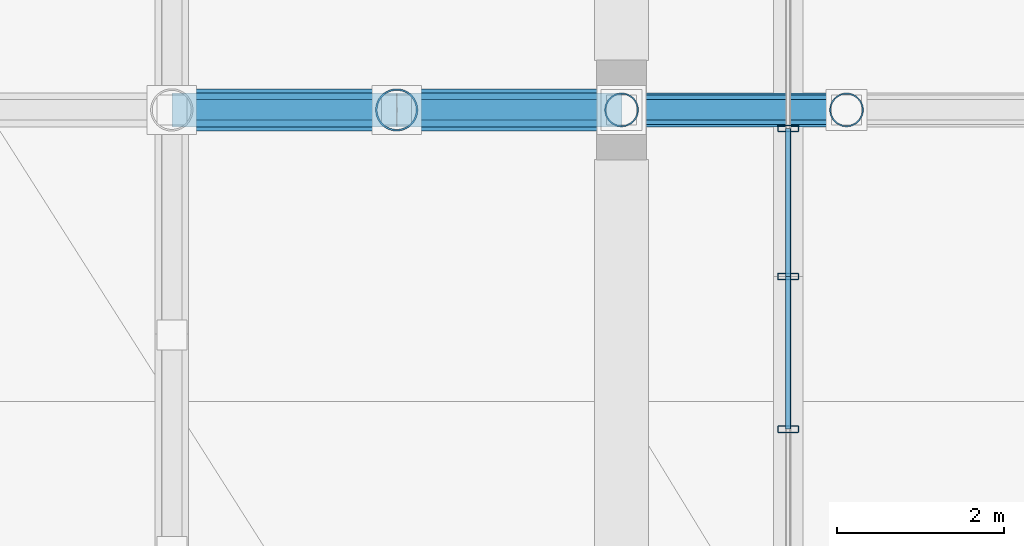
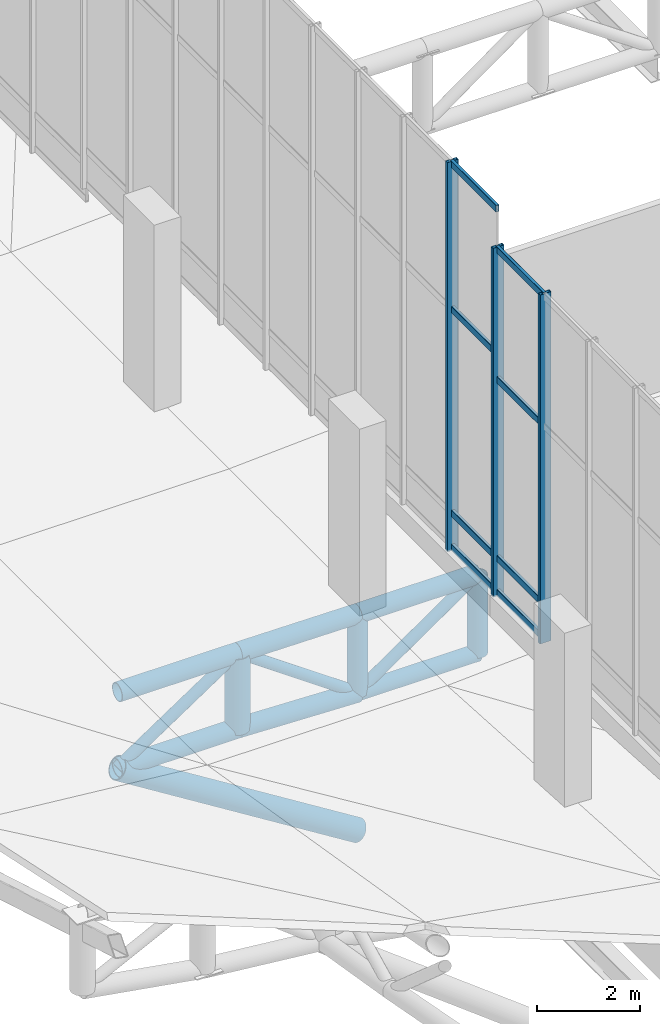
# One storey, part 17 of 137: 24 members, 2 elements without a shape of their own.
"""IFC4 building model written with IfcOpenShell, lengths in metres."""

from ifc_helpers import new_model, si_unit, direction, frame, origin, origin_2d, place, context, subcontext, project, spatial, hollow_rectangle, hollow_circle, extrude, material, layer, layer_set, material_profile, profile_set, type_object, element, aggregate, save


model = new_model("IFC4")

# Units and contexts
model_context = context("Model", 3, precision=1e-05, world=origin(), true_north=direction((0.0, 1.0)))
body_context = subcontext(model_context, "Body", "Model", "MODEL_VIEW")
ifc_project = project(units=[si_unit("LENGTHUNIT", "METRE"), si_unit("AREAUNIT", "SQUARE_METRE"), si_unit("VOLUMEUNIT", "CUBIC_METRE"), si_unit("PLANEANGLEUNIT", "RADIAN"), si_unit("MASSUNIT", "GRAM", prefix="KILO")], contexts=[model_context])

# Site, building, storey
site_placement = place(None, origin())
site = spatial("IfcSite", under=ifc_project, at=site_placement, CompositionType="ELEMENT")
building_placement = place(site_placement, origin())
building = spatial("IfcBuilding", under=site, at=building_placement, Name="Khorjan Park Terminus", CompositionType="ELEMENT")
storey_placement = place(building_placement, frame((0.0, 0.0, 11.4)))
storey = spatial("IfcBuildingStorey", under=building, at=storey_placement, Name="L02", CompositionType="ELEMENT", Elevation=11.4)

# Members
ifc_material_1 = material(Name="Steel S355", Category="steel")
ifc_material_profile_1 = material_profile(ifc_material_1, hollow_circle(Radius=0.1222, WallThickness=0.0125, at=origin_2d()), Name="CHS 244.5x12.5")
ifc_profile_set_1 = profile_set([ifc_material_profile_1], Name="Steel S355")
member_type_1 = type_object("IfcMemberType", Name="MB-BR-245", PredefinedType="BRACE", material=ifc_profile_set_1)
member_1_placement = place(storey_placement, frame((48.0, 52.0, -1.92), z_axis=(0.822082565391, 0.0, 0.569368295289), x_axis=(0.0, 1.0, 0.0)))
element("IfcMember", 1, at=member_1_placement, inside=storey, type_object=member_type_1, Name="Lower shell W/E truss diagonal (W2)", PredefinedType="BRACE", context=body_context, shape_type="SweptSolid", body=[
    extrude(hollow_circle(Radius=0.1222, WallThickness=0.0125, at=origin_2d()), origin(), (0.0, 0.0, 1.0), 3.2843),
])
ifc_material_profile_2 = material_profile(ifc_material_1, hollow_circle(Radius=0.1222, WallThickness=0.0125, at=origin_2d()), Name="CHS 244.5x12.5")
ifc_profile_set_2 = profile_set([ifc_material_profile_2], Name="Steel S355")
member_type_2 = type_object("IfcMemberType", Name="MB-BRE-245", PredefinedType="BRACE", material=ifc_profile_set_2)
member_2_placement = place(storey_placement, frame((42.6, 52.0, -1.828), z_axis=(0.832050294338, 0.0, 0.554700196225), x_axis=(0.0, 1.0, 0.0)))
element("IfcMember", 2, at=member_2_placement, inside=storey, type_object=member_type_2, Name="Lower shell W/E truss diagonal (W2)", PredefinedType="BRACE", context=body_context, shape_type="SweptSolid", body=[
    extrude(hollow_circle(Radius=0.1222, WallThickness=0.0125, at=origin_2d()), origin(), (0.0, 0.0, 1.0), 3.245),
])
member_3_placement = place(storey_placement, frame((45.3, 52.0, -0.028), z_axis=(0.818946826672, 0.0, -0.573869405949), x_axis=(0.0, 1.0, 0.0)))
element("IfcMember", 3, at=member_3_placement, inside=storey, type_object=member_type_2, Name="Lower shell W/E truss diagonal (W2)", PredefinedType="BRACE", context=body_context, shape_type="SweptSolid", body=[
    extrude(hollow_circle(Radius=0.1222, WallThickness=0.0125, at=origin_2d()), origin(), (0.0, 0.0, 1.0), 3.2969),
])
ifc_material_profile_3 = material_profile(ifc_material_1, hollow_circle(Radius=0.1778, WallThickness=0.016, at=origin_2d()), Name="CHS 355.6x16")
ifc_profile_set_3 = profile_set([ifc_material_profile_3], Name="Steel S355")
member_type_3 = type_object("IfcMemberType", Name="MB-CH-356", PredefinedType="CHORD", material=ifc_profile_set_3)
member_4_placement = place(storey_placement, frame((48.0, 52.0, -1.92), z_axis=(1.0, 0.0, 0.0), x_axis=(0.0, 1.0, 0.0)))
element("IfcMember", 4, at=member_4_placement, inside=storey, type_object=member_type_3, Name="Lower shell W/E truss bottom chord (W2)", PredefinedType="CHORD", context=body_context, shape_type="SweptSolid", body=[
    extrude(hollow_circle(Radius=0.1778, WallThickness=0.016, at=origin_2d()), origin(), (0.0, 0.0, 1.0), 2.7),
])
ifc_material_profile_4 = material_profile(ifc_material_1, hollow_circle(Radius=0.2032, WallThickness=0.016, at=origin_2d()), Name="CHS 406.4x16")
ifc_profile_set_4 = profile_set([ifc_material_profile_4], Name="Steel S355")
member_type_4 = type_object("IfcMemberType", Name="MB-CH-406", PredefinedType="CHORD", material=ifc_profile_set_4)
member_5_placement = place(storey_placement, frame((48.0, 52.0, -0.05), z_axis=(1.0, 0.0, 0.0), x_axis=(0.0, 1.0, 0.0)))
element("IfcMember", 5, at=member_5_placement, inside=storey, type_object=member_type_4, Name="Lower shell W/E truss top chord (W2)", PredefinedType="CHORD", context=body_context, shape_type="SweptSolid", body=[
    extrude(hollow_circle(Radius=0.2032, WallThickness=0.016, at=origin_2d()), origin(), (0.0, 0.0, 1.0), 2.7),
])
ifc_material_profile_5 = material_profile(ifc_material_1, hollow_circle(Radius=0.2032, WallThickness=0.016, at=origin_2d()), Name="CHS 406.4x16")
ifc_profile_set_5 = profile_set([ifc_material_profile_5], Name="Steel S355")
member_type_5 = type_object("IfcMemberType", Name="MB-CHE-406", PredefinedType="CHORD", material=ifc_profile_set_5)
for number, where, z_axis, x_axis, name in (
    (6, (42.6, 52.0, -0.028), (1.0, 0.0, 0.0), (0.0, 1.0, 0.0), "Lower shell W/E truss top chord (W2)"),
    (7, (42.6, 52.0, -1.828), (1.0, 0.0, 0.0), (0.0, 1.0, 0.0), "Lower shell W/E truss bottom chord (W2)"),
):
    element("IfcMember", number, at=place(storey_placement, frame(where, z_axis=z_axis, x_axis=x_axis)), inside=storey, type_object=member_type_5, Name=name, PredefinedType="CHORD", context=body_context, shape_type="SweptSolid", body=[
        extrude(hollow_circle(Radius=0.2032, WallThickness=0.016, at=origin_2d()), origin(), (0.0, 0.0, 1.0), 2.7),
    ])
member_6_placement = place(storey_placement, frame((45.3, 52.0, -0.028), z_axis=(0.999966805494, 0.0, -0.008147877674), x_axis=(0.0, 1.0, 0.0)))
element("IfcMember", 8, at=member_6_placement, inside=storey, type_object=member_type_5, Name="Lower shell W/E truss top chord (W2)", PredefinedType="CHORD", context=body_context, shape_type="SweptSolid", body=[
    extrude(hollow_circle(Radius=0.2032, WallThickness=0.016, at=origin_2d()), origin(), (0.0, 0.0, 1.0), 2.7001),
])
member_7_placement = place(storey_placement, frame((45.3, 52.0, -1.828), z_axis=(0.999419983757, 0.0, -0.034054310558), x_axis=(0.0, 1.0, 0.0)))
element("IfcMember", 9, at=member_7_placement, inside=storey, type_object=member_type_5, Name="Lower shell W/E truss bottom chord (W2)", PredefinedType="CHORD", context=body_context, shape_type="SweptSolid", body=[
    extrude(hollow_circle(Radius=0.2032, WallThickness=0.016, at=origin_2d()), origin(), (0.0, 0.0, 1.0), 2.7016),
])
ifc_material_profile_6 = material_profile(ifc_material_1, hollow_circle(Radius=0.2032, WallThickness=0.016, at=origin_2d()), Name="CHS 406.4x16")
ifc_profile_set_6 = profile_set([ifc_material_profile_6], Name="Steel S355")
member_type_6 = type_object("IfcMemberType", Name="MB-ST-406", PredefinedType="STRUT", material=ifc_profile_set_6)
for number, where, z_axis, x_axis, name in (
    (10, (48.0, 52.0, -1.92), (0.0, 0.0, 1.0), (1.0, 0.0, 0.0), "Lower shell W/E truss post (W2)"),
    (11, (50.7, 52.0, -1.92), (0.0, 0.0, 1.0), (1.0, 0.0, 0.0), "Lower shell W/E truss post (W2)"),
):
    element("IfcMember", number, at=place(storey_placement, frame(where, z_axis=z_axis, x_axis=x_axis)), inside=storey, type_object=member_type_6, Name=name, PredefinedType="STRUT", context=body_context, shape_type="SweptSolid", body=[
        extrude(hollow_circle(Radius=0.2032, WallThickness=0.016, at=origin_2d()), origin(), (0.0, 0.0, 1.0), 1.87),
    ])
ifc_material_profile_7 = material_profile(ifc_material_1, hollow_circle(Radius=0.254, WallThickness=0.02, at=origin_2d()), Name="CHS 508x20")
ifc_profile_set_7 = profile_set([ifc_material_profile_7], Name="Steel S355")
member_type_7 = type_object("IfcMemberType", Name="MB-STE-508", PredefinedType="STRUT", material=ifc_profile_set_7)
member_8_placement = place(storey_placement, frame((45.3, 52.0, -1.828), z_axis=(0.0, 0.0, 1.0), x_axis=(1.0, 0.0, 0.0)))
element("IfcMember", 12, at=member_8_placement, inside=storey, type_object=member_type_7, Name="Lower shell W/E truss post (W2)", PredefinedType="STRUT", context=body_context, shape_type="SweptSolid", body=[
    extrude(hollow_circle(Radius=0.254, WallThickness=0.02, at=origin_2d()), origin(), (0.0, 0.0, 1.0), 1.8),
])
member_9_placement = place(storey_placement, frame((48.0, 52.0, -5.2), z_axis=(-0.848210024072, 0.0, 0.529660037254), x_axis=(0.0, -1.0, 0.0)))
element("IfcMember", 13, at=member_9_placement, inside=storey, type_object=member_type_7, Name="Lower shell W/E raked V-strut STE-51 (W2)", PredefinedType="STRUT", context=body_context, shape_type="SweptSolid", body=[
    extrude(hollow_circle(Radius=0.254, WallThickness=0.02, at=origin_2d()), origin(), (0.0, 0.0, 1.0), 6.3663),
])

# Curtain wall, members
ifc_material_2 = material(Name="Anodized Bronze Aluminium", Category="aluminium")
ifc_layer = layer(ifc_material_2, 0.22)
ifc_layer_set = layer_set([ifc_layer], Name="Anodized Bronze Aluminium")
curtain_wall_type = type_object("IfcCurtainWallType", Name="CW-CONC-CLR", PredefinedType="NOTDEFINED", material=ifc_layer_set)
curtain_wall_1_placement = place(storey_placement, origin())
curtain_wall_1 = element("IfcCurtainWall", 14, at=curtain_wall_1_placement, inside=storey, type_object=curtain_wall_type, Name="Unitized curtain wall CW-CL (CW-V2-W-CLR-02)", PredefinedType="NOTDEFINED")
ifc_material_profile_8 = material_profile(ifc_material_2, hollow_rectangle(XDim=0.08, YDim=0.25, WallThickness=0.005, InnerFilletRadius=0.005, OuterFilletRadius=0.01, at=origin_2d()), Name="ALM 80x250x5")
ifc_profile_set_8 = profile_set([ifc_material_profile_8], Name="Anodized Bronze Aluminium")
member_type_8 = type_object("IfcMemberType", Name="ML-ALM-250", PredefinedType="MULLION", material=ifc_profile_set_8)
member_10_placement = place(storey_placement, frame((50.0, 50.0, 0.915), z_axis=(0.0, 0.0, 1.0), x_axis=(0.0, -1.0, 0.0)))
member_10 = element("IfcMember", 15, at=member_10_placement, type_object=member_type_8, Name="Curtain-wall mullion ML-25 (CW-V2-W-CLR-02-0)", PredefinedType="MULLION", context=body_context, shape_type="SweptSolid", body=[
    extrude(hollow_rectangle(XDim=0.08, YDim=0.25, WallThickness=0.005, InnerFilletRadius=0.005, OuterFilletRadius=0.01, at=origin_2d()), origin(), (0.0, 0.0, 1.0), 8.2978),
])
member_11_placement = place(storey_placement, frame((50.0, 48.1667, 0.915), z_axis=(0.0, 0.0, 1.0), x_axis=(0.0, -1.0, 0.0)))
member_11 = element("IfcMember", 16, at=member_11_placement, type_object=member_type_8, Name="Curtain-wall mullion ML-25 (CW-V2-W-CLR-02-1)", PredefinedType="MULLION", context=body_context, shape_type="SweptSolid", body=[
    extrude(hollow_rectangle(XDim=0.08, YDim=0.25, WallThickness=0.005, InnerFilletRadius=0.005, OuterFilletRadius=0.01, at=origin_2d()), origin(), (0.0, 0.0, 1.0), 8.2978),
])

# Curtain wall, member
curtain_wall_2_placement = place(storey_placement, origin())
curtain_wall_2 = element("IfcCurtainWall", 17, at=curtain_wall_2_placement, inside=storey, type_object=curtain_wall_type, Name="Unitized curtain wall CW-CL (CW-V2-W-CLR-03)", PredefinedType="NOTDEFINED")
member_12_placement = place(storey_placement, frame((50.0, 51.7778, 0.915), z_axis=(0.0, 0.0, 1.0), x_axis=(0.0, -1.0, 0.0)))
member_12 = element("IfcMember", 18, at=member_12_placement, type_object=member_type_8, Name="Curtain-wall mullion ML-25 (CW-V2-W-CLR-03-8)", PredefinedType="MULLION", context=body_context, shape_type="SweptSolid", body=[
    extrude(hollow_rectangle(XDim=0.08, YDim=0.25, WallThickness=0.005, InnerFilletRadius=0.005, OuterFilletRadius=0.01, at=origin_2d()), origin(), (0.0, 0.0, 1.0), 9.2604),
])

# Member
ifc_material_profile_9 = material_profile(ifc_material_2, hollow_rectangle(XDim=0.07, YDim=0.16, WallThickness=0.004, InnerFilletRadius=0.004, OuterFilletRadius=0.008, at=origin_2d()), Name="ALT 70x160x4")
ifc_profile_set_9 = profile_set([ifc_material_profile_9], Name="Anodized Bronze Aluminium")
member_type_9 = type_object("IfcMemberType", Name="TR-ALT-160", PredefinedType="USERDEFINED", material=ifc_profile_set_9)
member_13_placement = place(storey_placement, frame((50.0, 50.0, 0.99), z_axis=(0.0, -1.0, 0.0), x_axis=(1.0, 0.0, 0.0)))
member_13 = element("IfcMember", 19, at=member_13_placement, type_object=member_type_9, Name="Curtain-wall transom TR-16 (CW-V2-W-CLR-02-0-1)", ObjectType="TRANSOM", PredefinedType="USERDEFINED", context=body_context, shape_type="SweptSolid", body=[
    extrude(hollow_rectangle(XDim=0.07, YDim=0.16, WallThickness=0.004, InnerFilletRadius=0.004, OuterFilletRadius=0.008, at=origin_2d()), origin(), (0.0, 0.0, 1.0), 1.8333),
])

member_14_placement = place(storey_placement, frame((50.0, 50.0, 1.8), z_axis=(0.0, -1.0, 0.0), x_axis=(1.0, 0.0, 0.0)))
member_14 = element("IfcMember", 20, at=member_14_placement, type_object=member_type_9, Name="Curtain-wall transom TR-16 (CW-V2-W-CLR-02-0-2)", ObjectType="TRANSOM", PredefinedType="USERDEFINED", context=body_context, shape_type="SweptSolid", body=[
    extrude(hollow_rectangle(XDim=0.07, YDim=0.16, WallThickness=0.004, InnerFilletRadius=0.004, OuterFilletRadius=0.008, at=origin_2d()), origin(), (0.0, 0.0, 1.0), 1.8333),
])

member_15_placement = place(storey_placement, frame((50.0, 50.0, 6.0512), z_axis=(0.0, -1.0, 0.0), x_axis=(1.0, 0.0, 0.0)))
member_15 = element("IfcMember", 21, at=member_15_placement, type_object=member_type_9, Name="Curtain-wall transom TR-16 (CW-V2-W-CLR-02-0-3)", ObjectType="TRANSOM", PredefinedType="USERDEFINED", context=body_context, shape_type="SweptSolid", body=[
    extrude(hollow_rectangle(XDim=0.07, YDim=0.16, WallThickness=0.004, InnerFilletRadius=0.004, OuterFilletRadius=0.008, at=origin_2d()), origin(), (0.0, 0.0, 1.0), 1.8333),
])

member_16_placement = place(storey_placement, frame((50.0, 50.0, 9.1378), z_axis=(0.0, -1.0, 0.0), x_axis=(1.0, 0.0, 0.0)))
member_16 = element("IfcMember", 22, at=member_16_placement, type_object=member_type_9, Name="Curtain-wall transom TR-16 (CW-V2-W-CLR-02-0-4)", ObjectType="TRANSOM", PredefinedType="USERDEFINED", context=body_context, shape_type="SweptSolid", body=[
    extrude(hollow_rectangle(XDim=0.07, YDim=0.16, WallThickness=0.004, InnerFilletRadius=0.004, OuterFilletRadius=0.008, at=origin_2d()), origin(), (0.0, 0.0, 1.0), 1.8333),
])

aggregate(curtain_wall_1, [member_10, member_11, member_13, member_14, member_15, member_16])

member_17_placement = place(storey_placement, frame((50.0, 51.7778, 0.99), z_axis=(0.0, -1.0, 0.0), x_axis=(1.0, 0.0, 0.0)))
member_17 = element("IfcMember", 23, at=member_17_placement, type_object=member_type_9, Name="Curtain-wall transom TR-16 (CW-V2-W-CLR-03-8-1)", ObjectType="TRANSOM", PredefinedType="USERDEFINED", context=body_context, shape_type="SweptSolid", body=[
    extrude(hollow_rectangle(XDim=0.07, YDim=0.16, WallThickness=0.004, InnerFilletRadius=0.004, OuterFilletRadius=0.008, at=origin_2d()), origin(), (0.0, 0.0, 1.0), 1.7778),
])

member_18_placement = place(storey_placement, frame((50.0, 51.7778, 1.8), z_axis=(0.0, -1.0, 0.0), x_axis=(1.0, 0.0, 0.0)))
member_18 = element("IfcMember", 24, at=member_18_placement, type_object=member_type_9, Name="Curtain-wall transom TR-16 (CW-V2-W-CLR-03-8-2)", ObjectType="TRANSOM", PredefinedType="USERDEFINED", context=body_context, shape_type="SweptSolid", body=[
    extrude(hollow_rectangle(XDim=0.07, YDim=0.16, WallThickness=0.004, InnerFilletRadius=0.004, OuterFilletRadius=0.008, at=origin_2d()), origin(), (0.0, 0.0, 1.0), 1.7778),
])

member_19_placement = place(storey_placement, frame((50.0, 51.7778, 6.648), z_axis=(0.0, -1.0, 0.0), x_axis=(1.0, 0.0, 0.0)))
member_19 = element("IfcMember", 25, at=member_19_placement, type_object=member_type_9, Name="Curtain-wall transom TR-16 (CW-V2-W-CLR-03-8-3)", ObjectType="TRANSOM", PredefinedType="USERDEFINED", context=body_context, shape_type="SweptSolid", body=[
    extrude(hollow_rectangle(XDim=0.07, YDim=0.16, WallThickness=0.004, InnerFilletRadius=0.004, OuterFilletRadius=0.008, at=origin_2d()), origin(), (0.0, 0.0, 1.0), 1.7778),
])

member_20_placement = place(storey_placement, frame((50.0, 51.7778, 10.1004), z_axis=(0.0, -1.0, 0.0), x_axis=(1.0, 0.0, 0.0)))
member_20 = element("IfcMember", 26, at=member_20_placement, type_object=member_type_9, Name="Curtain-wall transom TR-16 (CW-V2-W-CLR-03-8-4)", ObjectType="TRANSOM", PredefinedType="USERDEFINED", context=body_context, shape_type="SweptSolid", body=[
    extrude(hollow_rectangle(XDim=0.07, YDim=0.16, WallThickness=0.004, InnerFilletRadius=0.004, OuterFilletRadius=0.008, at=origin_2d()), origin(), (0.0, 0.0, 1.0), 1.7778),
])

aggregate(curtain_wall_2, [member_12, member_17, member_18, member_19, member_20])

save(model, "model.ifc")
